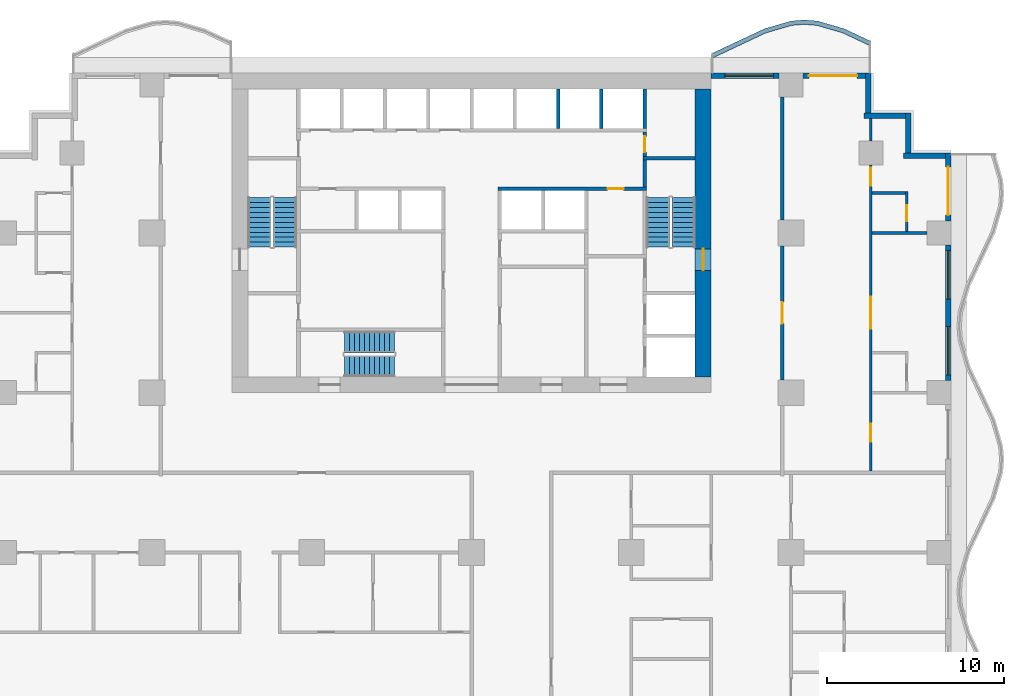
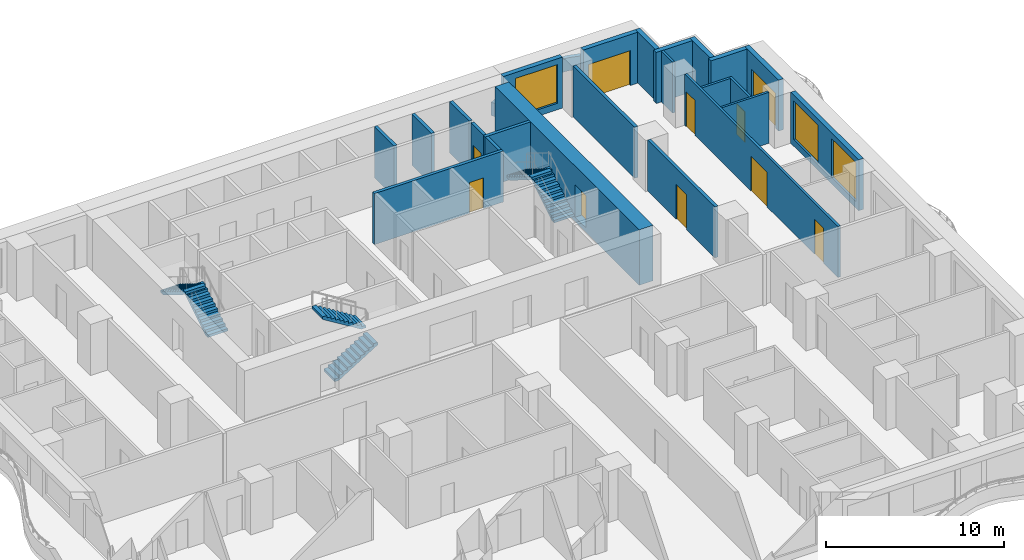
# One storey, part 6 of 13: 24 walls, 10 doors, 6 stair flights, 3 windows, 13 openings, 3 elements without a shape of their own.
"""IFC4 building model written with IfcOpenShell, lengths in metres."""

from ifc_helpers import new_model, si_unit, direction, frame, frame_2d, origin, place, context, subcontext, project, spatial, polyline, rectangle, outline, extrude, material, layer, layer_set, type_object, element, fill, aggregate, save


model = new_model("IFC4")

# Units and contexts
model_context = context("Model", 3, precision=1e-05, world=origin(), true_north=direction((0.0, 1.0)))
body_context = subcontext(model_context, "Body", "Model", "MODEL_VIEW")
ifc_project = project(units=[si_unit("LENGTHUNIT", "METRE"), si_unit("AREAUNIT", "SQUARE_METRE"), si_unit("VOLUMEUNIT", "CUBIC_METRE"), si_unit("PLANEANGLEUNIT", "RADIAN"), si_unit("MASSUNIT", "GRAM", prefix="KILO")], contexts=[model_context])

# Site, building, storey
site_placement = place(None, origin())
site = spatial("IfcSite", under=ifc_project, at=site_placement, CompositionType="ELEMENT")
building_placement = place(site_placement, origin())
building = spatial("IfcBuilding", under=site, at=building_placement, Name="Orbiselva Terraces", CompositionType="ELEMENT")
storey_placement = place(building_placement, frame((0.0, 0.0, 77.0)))
storey = spatial("IfcBuildingStorey", under=building, at=storey_placement, Name="L19", CompositionType="ELEMENT", Elevation=77.0)

# Wall, opening, door
ifc_material_1 = material(Name="Concrete C80/95", Category="concrete")
ifc_layer_1 = layer(ifc_material_1, 0.9)
ifc_layer_set_1 = layer_set([ifc_layer_1], Name="Concrete C80/95")
wall_type_1 = type_object("IfcWallType", Name="CORE WALL 900", PredefinedType="SHEAR", material=ifc_layer_set_1)
wall_1_placement = place(storey_placement, frame((13.05, 5.4, -0.3), z_axis=(0.0, 0.0, 1.0), x_axis=(0.0, 1.0, 0.0)))
wall_1 = element("IfcWall", 1, at=wall_1_placement, inside=storey, type_object=wall_type_1, Name="Core wall L19 east", PredefinedType="SHEAR", context=body_context, shape_type="SweptSolid", body=[
    extrude(rectangle(XDim=16.2, YDim=0.9, at=frame_2d((8.1, 0.0))), origin(), (0.0, 0.0, 1.0), 3.8),
])
opening_1_placement = place(wall_1_placement, frame((6.0, 0.0, 0.3)))
opening_1 = element("IfcOpeningElement", 2, at=opening_1_placement, cuts=wall_1, Name="Opening DS1200", PredefinedType="OPENING", context=body_context, shape_type="SweptSolid", body=[
    extrude(rectangle(XDim=1.2, YDim=2.2, at=frame_2d((0.6, 1.1))), frame((0.0, 0.46, 0.0), z_axis=(0.0, -1.0, 0.0), x_axis=(1.0, 0.0, 0.0)), (0.0, 0.0, 1.0), 0.92),
])
ifc_material_2 = material(Name="Steel fire door", Category="steel")
door_type_1 = type_object("IfcDoorType", Name="STAIR DOOR 1200", OperationType="NOTDEFINED", PredefinedType="DOOR", material=ifc_material_2)
door_1_placement = place(opening_1_placement, frame((1.2, 0.0, 0.0), z_axis=(0.0, 0.0, 1.0), x_axis=(-1.0, 0.0, 0.0)))
door_1 = element("IfcDoor", 3, at=door_1_placement, inside=storey, type_object=door_type_1, Name="L19 EXIT STAIR S2 door", OperationType="SINGLE_SWING_LEFT", OverallHeight=2.2, OverallWidth=1.2, PredefinedType="DOOR", context=body_context, shape_type="SweptSolid", body=[
    extrude(rectangle(XDim=1.2, YDim=2.2, at=frame_2d((0.6, 1.1))), frame((0.0, 0.025, 0.0), z_axis=(0.0, -1.0, 0.0), x_axis=(1.0, 0.0, 0.0)), (0.0, 0.0, 1.0), 0.05),
])
fill(opening_1, door_1)

ifc_material_3 = material(Name="Masonry blockwork", Category="masonry")
ifc_layer_2 = layer(ifc_material_3, 0.2)
ifc_layer_set_2 = layer_set([ifc_layer_2], Name="Masonry blockwork")
wall_type_2 = type_object("IfcWallType", Name="CORE-WALL-PARTITION-200", PredefinedType="PARTITIONING", material=ifc_layer_set_2)
wall_2_placement = place(storey_placement, frame((9.75, 19.2, 0.0), z_axis=(0.0, 0.0, 1.0), x_axis=(0.0, -1.0, 0.0)))
wall_2 = element("IfcWall", 4, at=wall_2_placement, inside=storey, type_object=wall_type_2, Name="L19 core wall 46", PredefinedType="PARTITIONING", context=body_context, shape_type="SweptSolid", body=[
    extrude(rectangle(XDim=1.4, YDim=0.2, at=frame_2d((0.7, 0.0))), origin(), (0.0, 0.0, 1.0), 3.5),
])
opening_2_placement = place(wall_2_placement, frame((0.25, 0.0, 0.0)))
opening_2 = element("IfcOpeningElement", 5, at=opening_2_placement, cuts=wall_2, Name="Opening DR900", PredefinedType="OPENING", context=body_context, shape_type="SweptSolid", body=[
    extrude(rectangle(XDim=0.9, YDim=2.1, at=frame_2d((0.45, 1.05))), frame((0.0, 0.11, 0.0), z_axis=(0.0, -1.0, 0.0), x_axis=(1.0, 0.0, 0.0)), (0.0, 0.0, 1.0), 0.22),
])
door_type_2 = type_object("IfcDoorType", Name="ROOM DOOR 900", OperationType="NOTDEFINED", PredefinedType="DOOR", material=ifc_material_2)
door_2_placement = place(opening_2_placement, origin())
door_2 = element("IfcDoor", 6, at=door_2_placement, inside=storey, type_object=door_type_2, Name="L19 ELECTRICAL RISER ROOM door", OperationType="SINGLE_SWING_RIGHT", OverallHeight=2.1, OverallWidth=0.9, PredefinedType="DOOR", context=body_context, shape_type="SweptSolid", body=[
    extrude(rectangle(XDim=0.9, YDim=2.1, at=frame_2d((0.45, 1.05))), frame((0.0, 0.025, 0.0), z_axis=(0.0, -1.0, 0.0), x_axis=(1.0, 0.0, 0.0)), (0.0, 0.0, 1.0), 0.05),
])
fill(opening_2, door_2)

# Walls
ifc_material_4 = material(Name="Concrete C40/50", Category="concrete")
ifc_layer_3 = layer(ifc_material_4, 0.2)
ifc_layer_set_3 = layer_set([ifc_layer_3], Name="Concrete C40/50")
wall_type_3 = type_object("IfcWallType", Name="CORE-WALL-SHAFT-200", PredefinedType="PARTITIONING", material=ifc_layer_set_3)
for number, where, z_axis, x_axis, name in (
    (7, (4.875, 19.4, 0.0), (0.0, 0.0, 1.0), (0.0, 1.0, 0.0), "L19 core wall 31"),
    (8, (7.3125, 19.4, 0.0), (0.0, 0.0, 1.0), (0.0, 1.0, 0.0), "L19 core wall 37"),
    (9, (9.75, 19.4, 0.0), (0.0, 0.0, 1.0), (0.0, 1.0, 0.0), "L19 core wall 47"),
):
    element("IfcWall", number, at=place(storey_placement, frame(where, z_axis=z_axis, x_axis=x_axis)), inside=storey, type_object=wall_type_3, Name=name, PredefinedType="PARTITIONING", context=body_context, shape_type="SweptSolid", body=[
        extrude(rectangle(XDim=2.2, YDim=0.2, at=frame_2d((1.1, 0.0))), origin(), (0.0, 0.0, 1.0), 3.5),
    ])

# Wall, opening, door
ifc_material_5 = material(Name="Concrete C60/75", Category="concrete")
ifc_layer_4 = layer(ifc_material_5, 0.2)
ifc_layer_set_4 = layer_set([ifc_layer_4], Name="Concrete C60/75")
wall_type_4 = type_object("IfcWallType", Name="CORE-WALL-SHEAR-200", PredefinedType="SHEAR", material=ifc_layer_set_4)
wall_3_placement = place(storey_placement, frame((9.85, 16.0, 0.0), z_axis=(0.0, 0.0, 1.0), x_axis=(-1.0, 0.0, 0.0)))
wall_3 = element("IfcWall", 10, at=wall_3_placement, inside=storey, type_object=wall_type_4, Name="L19 core wall 28", PredefinedType="SHEAR", context=body_context, shape_type="SweptSolid", body=[
    extrude(rectangle(XDim=8.35, YDim=0.2, at=frame_2d((4.175, 0.0))), origin(), (0.0, 0.0, 1.0), 3.5),
])
opening_3_placement = place(wall_3_placement, frame((1.2875, 0.0, 0.0)))
opening_3 = element("IfcOpeningElement", 11, at=opening_3_placement, cuts=wall_3, Name="Opening DR900", PredefinedType="OPENING", context=body_context, shape_type="SweptSolid", body=[
    extrude(rectangle(XDim=0.9, YDim=2.1, at=frame_2d((0.45, 1.05))), frame((0.0, 0.11, 0.0), z_axis=(0.0, -1.0, 0.0), x_axis=(1.0, 0.0, 0.0)), (0.0, 0.0, 1.0), 0.22),
])
door_3_placement = place(opening_3_placement, origin())
door_3 = element("IfcDoor", 12, at=door_3_placement, inside=storey, type_object=door_type_2, Name="L19 PIPE RISER ROOM door", OperationType="SINGLE_SWING_LEFT", OverallHeight=2.1, OverallWidth=0.9, PredefinedType="DOOR", context=body_context, shape_type="SweptSolid", body=[
    extrude(rectangle(XDim=0.9, YDim=2.1, at=frame_2d((0.45, 1.05))), frame((0.0, 0.025, 0.0), z_axis=(0.0, -1.0, 0.0), x_axis=(1.0, 0.0, 0.0)), (0.0, 0.0, 1.0), 0.05),
])
fill(opening_3, door_3)

# Walls
wall_4_placement = place(storey_placement, frame((9.75, 16.1, 0.0), z_axis=(0.0, 0.0, 1.0), x_axis=(0.0, 1.0, 0.0)))
element("IfcWall", 13, at=wall_4_placement, inside=storey, type_object=wall_type_4, Name="L19 core wall 44", PredefinedType="SHEAR", context=body_context, shape_type="SweptSolid", body=[
    extrude(rectangle(XDim=1.5, YDim=0.2, at=frame_2d((0.75, 0.0))), origin(), (0.0, 0.0, 1.0), 3.5),
])
wall_5_placement = place(storey_placement, frame((9.65, 17.7, 0.0), z_axis=(0.0, 0.0, 1.0), x_axis=(1.0, 0.0, 0.0)))
element("IfcWall", 14, at=wall_5_placement, inside=storey, type_object=wall_type_4, Name="L19 core wall 45", PredefinedType="SHEAR", context=body_context, shape_type="SweptSolid", body=[
    extrude(rectangle(XDim=2.95, YDim=0.2, at=frame_2d((1.475, 0.0))), origin(), (0.0, 0.0, 1.0), 3.5),
])
ifc_layer_5 = layer(ifc_material_4, 0.25)
ifc_layer_set_5 = layer_set([ifc_layer_5], Name="Concrete C40/50")
wall_type_5 = type_object("IfcWallType", Name="ENV-PLANTER-250x900", PredefinedType="USERDEFINED", material=ifc_layer_set_5)
wall_6_placement = place(storey_placement, origin())
element("IfcWall", 15, at=wall_6_placement, inside=storey, type_object=wall_type_5, Name="Balcony planter L19 NE", ObjectType="PLANTER", PredefinedType="USERDEFINED", context=body_context, shape_type="SweptSolid", body=[
    extrude(outline(polyline([(22.5, 24.3), (21.0, 25.005342), (19.5, 25.441268), (18.75, 25.5), (18.0, 25.441268), (16.5, 25.005342), (15.0, 24.3), (13.5, 23.594658), (13.606383, 23.368422), (15.106383, 24.073764), (16.588618, 24.770753), (18.045114, 25.194035), (18.75, 25.249235), (19.454886, 25.194035), (20.911382, 24.770753), (22.393617, 24.073764), (22.5, 24.3)])), origin(), (0.0, 0.0, 1.0), 0.9),
])

# Wall, openings, windows
ifc_material_6 = material(Name="Terracotta cladding on masonry backing", Category="masonry")
ifc_layer_6 = layer(ifc_material_6, 0.3)
ifc_layer_set_6 = layer_set([ifc_layer_6], Name="Terracotta cladding on masonry backing")
wall_type_6 = type_object("IfcWallType", Name="ENV-WALL-TERRACOTTA-300", PredefinedType="SOLIDWALL", material=ifc_layer_set_6)
wall_7_placement = place(storey_placement, frame((26.85, 12.825, 0.0), z_axis=(0.0, 0.0, 1.0), x_axis=(0.0, -1.0, 0.0)))
wall_7 = element("IfcWall", 16, at=wall_7_placement, inside=storey, type_object=wall_type_6, Name="Facade wall L19 E", PredefinedType="SOLIDWALL", context=body_context, shape_type="SweptSolid", body=[
    extrude(rectangle(XDim=7.65, YDim=0.3, at=frame_2d((3.825, 0.0))), origin(), (0.0, 0.0, 1.0), 3.5),
])
opening_4_placement = place(wall_7_placement, frame((4.6, 0.0, 0.45)))
opening_4 = element("IfcOpeningElement", 17, at=opening_4_placement, cuts=wall_7, Name="Opening WN5", PredefinedType="OPENING", context=body_context, shape_type="SweptSolid", body=[
    extrude(rectangle(XDim=2.725, YDim=2.65, at=frame_2d((1.3625, 1.325))), frame((0.0, 0.16, 0.0), z_axis=(0.0, -1.0, 0.0), x_axis=(1.0, 0.0, 0.0)), (0.0, 0.0, 1.0), 0.32),
])
opening_5_placement = place(wall_7_placement, frame((0.325, 0.0, 0.45)))
opening_5 = element("IfcOpeningElement", 18, at=opening_5_placement, cuts=wall_7, Name="Opening WN5", PredefinedType="OPENING", context=body_context, shape_type="SweptSolid", body=[
    extrude(rectangle(XDim=2.725, YDim=2.65, at=frame_2d((1.3625, 1.325))), frame((0.0, 0.16, 0.0), z_axis=(0.0, -1.0, 0.0), x_axis=(1.0, 0.0, 0.0)), (0.0, 0.0, 1.0), 0.32),
])
ifc_material_7 = material(Name="Clear low-e glazing in aluminium frame", Category="aluminium")
window_type = type_object("IfcWindowType", Name="WINDOW 2725 X 2650 S450", PartitioningType="TRIPLE_PANEL_VERTICAL", PredefinedType="WINDOW", material=ifc_material_7)
window_1_placement = place(opening_4_placement, origin())
window_1 = element("IfcWindow", 19, at=window_1_placement, inside=storey, type_object=window_type, Name="Window L19 E", OverallHeight=2.65, OverallWidth=2.725, PartitioningType="SINGLE_PANEL", PredefinedType="WINDOW", context=body_context, shape_type="SweptSolid", body=[
    extrude(rectangle(XDim=2.725, YDim=2.65, at=frame_2d((1.3625, 1.325))), frame((0.0, 0.03, 0.0), z_axis=(0.0, -1.0, 0.0), x_axis=(1.0, 0.0, 0.0)), (0.0, 0.0, 1.0), 0.06),
])
fill(opening_4, window_1)
window_2_placement = place(opening_5_placement, origin())
window_2 = element("IfcWindow", 20, at=window_2_placement, inside=storey, type_object=window_type, Name="Window L19 E", OverallHeight=2.65, OverallWidth=2.725, PartitioningType="SINGLE_PANEL", PredefinedType="WINDOW", context=body_context, shape_type="SweptSolid", body=[
    extrude(rectangle(XDim=2.725, YDim=2.65, at=frame_2d((1.3625, 1.325))), frame((0.0, 0.03, 0.0), z_axis=(0.0, -1.0, 0.0), x_axis=(1.0, 0.0, 0.0)), (0.0, 0.0, 1.0), 0.06),
])
fill(opening_5, window_2)

# Wall, opening, door
wall_8_placement = place(storey_placement, frame((26.85, 18.0, 0.0), z_axis=(0.0, 0.0, 1.0), x_axis=(0.0, -1.0, 0.0)))
wall_8 = element("IfcWall", 21, at=wall_8_placement, inside=storey, type_object=wall_type_6, Name="Facade wall L19 E", PredefinedType="SOLIDWALL", context=body_context, shape_type="SweptSolid", body=[
    extrude(rectangle(XDim=3.825, YDim=0.3, at=frame_2d((1.9125, 0.0))), origin(), (0.0, 0.0, 1.0), 3.5),
])
opening_6_placement = place(wall_8_placement, frame((0.775, 0.0, 0.0)))
opening_6 = element("IfcOpeningElement", 22, at=opening_6_placement, cuts=wall_8, Name="Opening Z2-A-E14", PredefinedType="OPENING", context=body_context, shape_type="SweptSolid", body=[
    extrude(rectangle(XDim=2.725, YDim=2.4, at=frame_2d((1.3625, 1.2))), frame((0.0, 0.16, 0.0), z_axis=(0.0, -1.0, 0.0), x_axis=(1.0, 0.0, 0.0)), (0.0, 0.0, 1.0), 0.32),
])
door_type_3 = type_object("IfcDoorType", Name="BALCONY DOOR 2725 X 2400", OperationType="DOUBLE_DOOR_SLIDING", PredefinedType="DOOR", material=ifc_material_7)
door_4_placement = place(opening_6_placement, origin())
door_4 = element("IfcDoor", 23, at=door_4_placement, inside=storey, type_object=door_type_3, Name="Z2-A-E14", OperationType="SINGLE_SWING_LEFT", OverallHeight=2.4, OverallWidth=2.725, PredefinedType="DOOR", context=body_context, shape_type="SweptSolid", body=[
    extrude(rectangle(XDim=2.725, YDim=2.4, at=frame_2d((1.3625, 1.2))), frame((0.0, 0.025, 0.0), z_axis=(0.0, -1.0, 0.0), x_axis=(1.0, 0.0, 0.0)), (0.0, 0.0, 1.0), 0.05),
])
fill(opening_6, door_4)

# Walls
wall_9_placement = place(storey_placement, frame((24.35, 17.85, 0.0), z_axis=(0.0, 0.0, 1.0), x_axis=(1.0, 0.0, 0.0)))
element("IfcWall", 24, at=wall_9_placement, inside=storey, type_object=wall_type_6, Name="Facade wall L19 STEP", PredefinedType="SOLIDWALL", context=body_context, shape_type="SweptSolid", body=[
    extrude(rectangle(XDim=2.35, YDim=0.3, at=frame_2d((1.175, 0.0))), origin(), (0.0, 0.0, 1.0), 3.5),
])
wall_10_placement = place(storey_placement, frame((24.6, 20.25, 0.0), z_axis=(0.0, 0.0, 1.0), x_axis=(0.0, -1.0, 0.0)))
element("IfcWall", 25, at=wall_10_placement, inside=storey, type_object=wall_type_6, Name="Facade wall L19 STEP", PredefinedType="SOLIDWALL", context=body_context, shape_type="SweptSolid", body=[
    extrude(rectangle(XDim=2.25, YDim=0.3, at=frame_2d((1.125, 0.0))), origin(), (0.0, 0.0, 1.0), 3.5),
])
wall_11_placement = place(storey_placement, frame((22.1, 20.1, 0.0), z_axis=(0.0, 0.0, 1.0), x_axis=(1.0, 0.0, 0.0)))
element("IfcWall", 26, at=wall_11_placement, inside=storey, type_object=wall_type_6, Name="Facade wall L19 STEP", PredefinedType="SOLIDWALL", context=body_context, shape_type="SweptSolid", body=[
    extrude(rectangle(XDim=2.35, YDim=0.3, at=frame_2d((1.175, 0.0))), origin(), (0.0, 0.0, 1.0), 3.5),
])
wall_12_placement = place(storey_placement, frame((22.35, 22.5, 0.0), z_axis=(0.0, 0.0, 1.0), x_axis=(0.0, -1.0, 0.0)))
element("IfcWall", 27, at=wall_12_placement, inside=storey, type_object=wall_type_6, Name="Facade wall L19 STEP", PredefinedType="SOLIDWALL", context=body_context, shape_type="SweptSolid", body=[
    extrude(rectangle(XDim=2.25, YDim=0.3, at=frame_2d((1.125, 0.0))), origin(), (0.0, 0.0, 1.0), 3.5),
])

# Wall, opening, door
wall_13_placement = place(storey_placement, frame((18.675, 22.35, 0.0), z_axis=(0.0, 0.0, 1.0), x_axis=(1.0, 0.0, 0.0)))
wall_13 = element("IfcWall", 28, at=wall_13_placement, inside=storey, type_object=wall_type_6, Name="Facade wall L19 NE", PredefinedType="SOLIDWALL", context=body_context, shape_type="SweptSolid", body=[
    extrude(rectangle(XDim=3.525, YDim=0.3, at=frame_2d((1.7625, 0.0))), origin(), (0.0, 0.0, 1.0), 3.5),
])
opening_7_placement = place(wall_13_placement, frame((0.325, 0.0, 0.0)))
opening_7 = element("IfcOpeningElement", 29, at=opening_7_placement, cuts=wall_13, Name="Opening Z2-A-E18", PredefinedType="OPENING", context=body_context, shape_type="SweptSolid", body=[
    extrude(rectangle(XDim=2.725, YDim=2.4, at=frame_2d((1.3625, 1.2))), frame((0.0, 0.16, 0.0), z_axis=(0.0, -1.0, 0.0), x_axis=(1.0, 0.0, 0.0)), (0.0, 0.0, 1.0), 0.32),
])
door_5_placement = place(opening_7_placement, origin())
door_5 = element("IfcDoor", 30, at=door_5_placement, inside=storey, type_object=door_type_3, Name="Z2-A-E18", OperationType="SINGLE_SWING_LEFT", OverallHeight=2.4, OverallWidth=2.725, PredefinedType="DOOR", context=body_context, shape_type="SweptSolid", body=[
    extrude(rectangle(XDim=2.725, YDim=2.4, at=frame_2d((1.3625, 1.2))), frame((0.0, 0.025, 0.0), z_axis=(0.0, -1.0, 0.0), x_axis=(1.0, 0.0, 0.0)), (0.0, 0.0, 1.0), 0.05),
])
fill(opening_7, door_5)

# Wall, opening, window
wall_14_placement = place(storey_placement, frame((13.5, 22.35, 0.0), z_axis=(0.0, 0.0, 1.0), x_axis=(1.0, 0.0, 0.0)))
wall_14 = element("IfcWall", 31, at=wall_14_placement, inside=storey, type_object=wall_type_6, Name="Facade wall L19 NE", PredefinedType="SOLIDWALL", context=body_context, shape_type="SweptSolid", body=[
    extrude(rectangle(XDim=3.825, YDim=0.3, at=frame_2d((1.9125, 0.0))), origin(), (0.0, 0.0, 1.0), 3.5),
])
opening_8_placement = place(wall_14_placement, frame((0.775, 0.0, 0.45)))
opening_8 = element("IfcOpeningElement", 32, at=opening_8_placement, cuts=wall_14, Name="Opening WN5", PredefinedType="OPENING", context=body_context, shape_type="SweptSolid", body=[
    extrude(rectangle(XDim=2.725, YDim=2.65, at=frame_2d((1.3625, 1.325))), frame((0.0, 0.16, 0.0), z_axis=(0.0, -1.0, 0.0), x_axis=(1.0, 0.0, 0.0)), (0.0, 0.0, 1.0), 0.32),
])
window_3_placement = place(opening_8_placement, origin())
window_3 = element("IfcWindow", 33, at=window_3_placement, inside=storey, type_object=window_type, Name="Window L19 NE", OverallHeight=2.65, OverallWidth=2.725, PartitioningType="SINGLE_PANEL", PredefinedType="WINDOW", context=body_context, shape_type="SweptSolid", body=[
    extrude(rectangle(XDim=2.725, YDim=2.65, at=frame_2d((1.3625, 1.325))), frame((0.0, 0.03, 0.0), z_axis=(0.0, -1.0, 0.0), x_axis=(1.0, 0.0, 0.0)), (0.0, 0.0, 1.0), 0.06),
])
fill(opening_8, window_3)

# Wall, opening, door
ifc_material_8 = material(Name="Plasterboard on steel stud partition", Category="steel")
ifc_layer_7 = layer(ifc_material_8, 0.2)
ifc_layer_set_7 = layer_set([ifc_layer_7], Name="Plasterboard on steel stud partition")
wall_type_7 = type_object("IfcWallType", Name="UNIT-ENTRANCE-WALL-200", PredefinedType="PARTITIONING", material=ifc_layer_set_7)
wall_15_placement = place(storey_placement, frame((17.5, 12.775, 0.0), z_axis=(0.0, 0.0, 1.0), x_axis=(0.0, -1.0, 0.0)))
wall_15 = element("IfcWall", 34, at=wall_15_placement, inside=storey, type_object=wall_type_7, Name="PARTITION L19-076", PredefinedType="PARTITIONING", context=body_context, shape_type="SweptSolid", body=[
    extrude(rectangle(XDim=7.55, YDim=0.2, at=frame_2d((3.775, 0.0))), origin(), (0.0, 0.0, 1.0), 3.5),
])
opening_9_placement = place(wall_15_placement, frame((3.175, 0.0, 0.0)))
opening_9 = element("IfcOpeningElement", 35, at=opening_9_placement, cuts=wall_15, Name="Opening Z2-A-09", PredefinedType="OPENING", context=body_context, shape_type="SweptSolid", body=[
    extrude(rectangle(XDim=1.2, YDim=2.4, at=frame_2d((0.6, 1.2))), frame((0.0, 0.11, 0.0), z_axis=(0.0, -1.0, 0.0), x_axis=(1.0, 0.0, 0.0)), (0.0, 0.0, 1.0), 0.22),
])
ifc_material_9 = material(Name="Painted timber door leaf", Category="wood")
door_type_4 = type_object("IfcDoorType", Name="ENTRANCE DOOR 1200", OperationType="NOTDEFINED", PredefinedType="DOOR", material=ifc_material_9)
door_6_placement = place(opening_9_placement, origin())
door_6 = element("IfcDoor", 36, at=door_6_placement, inside=storey, type_object=door_type_4, Name="Z2-A-09", OperationType="SINGLE_SWING_RIGHT", OverallHeight=2.4, OverallWidth=1.2, PredefinedType="DOOR", context=body_context, shape_type="SweptSolid", body=[
    extrude(rectangle(XDim=1.2, YDim=2.4, at=frame_2d((0.6, 1.2))), frame((0.0, 0.025, 0.0), z_axis=(0.0, -1.0, 0.0), x_axis=(1.0, 0.0, 0.0)), (0.0, 0.0, 1.0), 0.05),
])
fill(opening_9, door_6)

# Walls
wall_16_placement = place(storey_placement, frame((17.5, 14.225, 0.0), z_axis=(0.0, 0.0, 1.0), x_axis=(0.0, 1.0, 0.0)))
element("IfcWall", 37, at=wall_16_placement, inside=storey, type_object=wall_type_7, Name="PARTITION L19-077", PredefinedType="PARTITIONING", context=body_context, shape_type="SweptSolid", body=[
    extrude(rectangle(XDim=6.925, YDim=0.2, at=frame_2d((3.4625, 0.0))), origin(), (0.0, 0.0, 1.0), 3.5),
])
ifc_layer_8 = layer(ifc_material_8, 0.15)
ifc_layer_set_8 = layer_set([ifc_layer_8], Name="Plasterboard on steel stud partition")
wall_type_8 = type_object("IfcWallType", Name="UNIT-PARTITION-150", PredefinedType="PARTITIONING", material=ifc_layer_set_8)
wall_17_placement = place(storey_placement, frame((22.575, 13.5, 0.0), z_axis=(0.0, 0.0, 1.0), x_axis=(1.0, 0.0, 0.0)))
element("IfcWall", 38, at=wall_17_placement, inside=storey, type_object=wall_type_8, Name="PARTITION L19-040", PredefinedType="PARTITIONING", context=body_context, shape_type="SweptSolid", body=[
    extrude(rectangle(XDim=3.075, YDim=0.15, at=frame_2d((1.5375, 0.0))), origin(), (0.0, 0.0, 1.0), 3.5),
])
wall_18_placement = place(storey_placement, frame((22.575, 15.75, 0.0), z_axis=(0.0, 0.0, 1.0), x_axis=(1.0, 0.0, 0.0)))
element("IfcWall", 39, at=wall_18_placement, inside=storey, type_object=wall_type_8, Name="PARTITION L19-042", PredefinedType="PARTITIONING", context=body_context, shape_type="SweptSolid", body=[
    extrude(rectangle(XDim=1.875, YDim=0.15, at=frame_2d((0.9375, 0.0))), origin(), (0.0, 0.0, 1.0), 3.5),
])

# Wall, openings, doors
wall_19_placement = place(storey_placement, frame((22.5, 17.325, 0.0), z_axis=(0.0, 0.0, 1.0), x_axis=(0.0, -1.0, 0.0)))
wall_19 = element("IfcWall", 40, at=wall_19_placement, inside=storey, type_object=wall_type_8, Name="PARTITION L19-083", PredefinedType="PARTITIONING", context=body_context, shape_type="SweptSolid", body=[
    extrude(rectangle(XDim=17.225, YDim=0.15, at=frame_2d((8.6125, 0.0))), origin(), (0.0, 0.0, 1.0), 3.5),
])
opening_10_placement = place(wall_19_placement, frame((14.575, 0.0, 0.0)))
opening_10 = element("IfcOpeningElement", 41, at=opening_10_placement, cuts=wall_19, Name="Opening Z2-A-10", PredefinedType="OPENING", context=body_context, shape_type="SweptSolid", body=[
    extrude(rectangle(XDim=1.0, YDim=2.4, at=frame_2d((0.5, 1.2))), frame((0.0, 0.085, 0.0), z_axis=(0.0, -1.0, 0.0), x_axis=(1.0, 0.0, 0.0)), (0.0, 0.0, 1.0), 0.17),
])
opening_11_placement = place(wall_19_placement, frame((7.425, 0.0, 0.0)))
opening_11 = element("IfcOpeningElement", 42, at=opening_11_placement, cuts=wall_19, Name="Opening Z2-A-11", PredefinedType="OPENING", context=body_context, shape_type="SweptSolid", body=[
    extrude(rectangle(XDim=1.8, YDim=2.4, at=frame_2d((0.9, 1.2))), frame((0.0, 0.085, 0.0), z_axis=(0.0, -1.0, 0.0), x_axis=(1.0, 0.0, 0.0)), (0.0, 0.0, 1.0), 0.17),
])
opening_12_placement = place(wall_19_placement, frame((0.15, 0.0, 0.0)))
opening_12 = element("IfcOpeningElement", 43, at=opening_12_placement, cuts=wall_19, Name="Opening Z2-A-13", PredefinedType="OPENING", context=body_context, shape_type="SweptSolid", body=[
    extrude(rectangle(XDim=1.0, YDim=2.4, at=frame_2d((0.5, 1.2))), frame((0.0, 0.085, 0.0), z_axis=(0.0, -1.0, 0.0), x_axis=(1.0, 0.0, 0.0)), (0.0, 0.0, 1.0), 0.17),
])
door_type_5 = type_object("IfcDoorType", Name="DOUBLE DOOR 1800", OperationType="NOTDEFINED", PredefinedType="DOOR", material=ifc_material_9)
door_7_placement = place(opening_11_placement, origin())
door_7 = element("IfcDoor", 44, at=door_7_placement, inside=storey, type_object=door_type_5, Name="Z2-A-11", OperationType="DOUBLE_DOOR_SINGLE_SWING", OverallHeight=2.4, OverallWidth=1.8, PredefinedType="DOOR", context=body_context, shape_type="SweptSolid", body=[
    extrude(rectangle(XDim=1.8, YDim=2.4, at=frame_2d((0.9, 1.2))), frame((0.0, 0.025, 0.0), z_axis=(0.0, -1.0, 0.0), x_axis=(1.0, 0.0, 0.0)), (0.0, 0.0, 1.0), 0.05),
])
fill(opening_11, door_7)
door_type_6 = type_object("IfcDoorType", Name="ROOM DOOR 1000", OperationType="NOTDEFINED", PredefinedType="DOOR", material=ifc_material_9)
door_8_placement = place(opening_10_placement, origin())
door_8 = element("IfcDoor", 45, at=door_8_placement, inside=storey, type_object=door_type_6, Name="Z2-A-10", OperationType="SINGLE_SWING_RIGHT", OverallHeight=2.4, OverallWidth=1.0, PredefinedType="DOOR", context=body_context, shape_type="SweptSolid", body=[
    extrude(rectangle(XDim=1.0, YDim=2.4, at=frame_2d((0.5, 1.2))), frame((0.0, 0.025, 0.0), z_axis=(0.0, -1.0, 0.0), x_axis=(1.0, 0.0, 0.0)), (0.0, 0.0, 1.0), 0.05),
])
fill(opening_10, door_8)
door_9_placement = place(opening_12_placement, origin())
door_9 = element("IfcDoor", 46, at=door_9_placement, inside=storey, type_object=door_type_6, Name="Z2-A-13", OperationType="SINGLE_SWING_LEFT", OverallHeight=2.4, OverallWidth=1.0, PredefinedType="DOOR", context=body_context, shape_type="SweptSolid", body=[
    extrude(rectangle(XDim=1.0, YDim=2.4, at=frame_2d((0.5, 1.2))), frame((0.0, 0.025, 0.0), z_axis=(0.0, -1.0, 0.0), x_axis=(1.0, 0.0, 0.0)), (0.0, 0.0, 1.0), 0.05),
])
fill(opening_12, door_9)

# Wall
wall_20_placement = place(storey_placement, frame((22.5, 18.675, 0.0), z_axis=(0.0, 0.0, 1.0), x_axis=(0.0, 1.0, 0.0)))
element("IfcWall", 47, at=wall_20_placement, inside=storey, type_object=wall_type_8, Name="PARTITION L19-084", PredefinedType="PARTITIONING", context=body_context, shape_type="SweptSolid", body=[
    extrude(rectangle(XDim=1.275, YDim=0.15, at=frame_2d((0.6375, 0.0))), origin(), (0.0, 0.0, 1.0), 3.5),
])

# Wall, opening, door
wall_21_placement = place(storey_placement, frame((24.525, 13.575, 0.0), z_axis=(0.0, 0.0, 1.0), x_axis=(0.0, 1.0, 0.0)))
wall_21 = element("IfcWall", 48, at=wall_21_placement, inside=storey, type_object=wall_type_8, Name="PARTITION L19-086", PredefinedType="PARTITIONING", context=body_context, shape_type="SweptSolid", body=[
    extrude(rectangle(XDim=2.25, YDim=0.15, at=frame_2d((1.125, 0.0))), origin(), (0.0, 0.0, 1.0), 3.5),
])
opening_13_placement = place(wall_21_placement, frame((0.6, 0.0, 0.0)))
opening_13 = element("IfcOpeningElement", 49, at=opening_13_placement, cuts=wall_21, Name="Opening Z2-A-14", PredefinedType="OPENING", context=body_context, shape_type="SweptSolid", body=[
    extrude(rectangle(XDim=0.9, YDim=2.1, at=frame_2d((0.45, 1.05))), frame((0.0, 0.085, 0.0), z_axis=(0.0, -1.0, 0.0), x_axis=(1.0, 0.0, 0.0)), (0.0, 0.0, 1.0), 0.17),
])
door_type_7 = type_object("IfcDoorType", Name="BATH DOOR 900", OperationType="NOTDEFINED", PredefinedType="DOOR", material=ifc_material_9)
door_10_placement = place(opening_13_placement, origin())
door_10 = element("IfcDoor", 50, at=door_10_placement, inside=storey, type_object=door_type_7, Name="Z2-A-14", OperationType="SINGLE_SWING_LEFT", OverallHeight=2.1, OverallWidth=0.9, PredefinedType="DOOR", context=body_context, shape_type="SweptSolid", body=[
    extrude(rectangle(XDim=0.9, YDim=2.1, at=frame_2d((0.45, 1.05))), frame((0.0, 0.025, 0.0), z_axis=(0.0, -1.0, 0.0), x_axis=(1.0, 0.0, 0.0)), (0.0, 0.0, 1.0), 0.05),
])
fill(opening_13, door_10)

# Stair, stair flights
stair_type_1 = type_object("IfcStairType", Name="CORE-STAIR-1200", PredefinedType="HALF_TURN_STAIR", material=ifc_material_4)
stair_1_placement = place(storey_placement, origin())
stair_1 = element("IfcStair", 51, at=stair_1_placement, inside=storey, type_object=stair_type_1, Name="L19 Exit Stair S3", PredefinedType="HALF_TURN_STAIR")
stair_flight_type_1 = type_object("IfcStairFlightType", Name="CORE-STAIR-FLIGHT-1200", PredefinedType="STRAIGHT", material=ifc_material_4)
stair_flight_1_placement = place(storey_placement, frame((-7.15, 6.0, 0.0), z_axis=(0.0, 0.0, 1.0), x_axis=(1.0, 0.0, 0.0)))
stair_flight_1 = element("IfcStairFlight", 52, at=stair_flight_1_placement, type_object=stair_flight_type_1, Name="S3 flight 1", NumberOfRisers=11, NumberOfTreads=10, PredefinedType="STRAIGHT", RiserHeight=0.172727273, TreadLength=0.28, context=body_context, shape_type="SweptSolid", body=[
    extrude(outline(polyline([(0.0, 0.0), (0.0, 0.172727), (0.28, 0.172727), (0.28, 0.345455), (0.56, 0.345455), (0.56, 0.518182), (0.84, 0.518182), (0.84, 0.690909), (1.12, 0.690909), (1.12, 0.863636), (1.4, 0.863636), (1.4, 1.036364), (1.68, 1.036364), (1.68, 1.209091), (1.96, 1.209091), (1.96, 1.381818), (2.24, 1.381818), (2.24, 1.554545), (2.52, 1.554545), (2.52, 1.727273), (2.8, 1.727273), (2.8, 1.9), (2.8, 1.551028), (0.285702, 0.0), (0.0, 0.0)])), frame((0.0, 0.6, 0.0), z_axis=(0.0, -1.0, 0.0), x_axis=(1.0, 0.0, 0.0)), (0.0, 0.0, 1.0), 1.2),
])
stair_flight_2_placement = place(storey_placement, frame((-4.35, 7.35, 1.9), z_axis=(0.0, 0.0, 1.0), x_axis=(-1.0, 0.0, 0.0)))
stair_flight_2 = element("IfcStairFlight", 53, at=stair_flight_2_placement, type_object=stair_flight_type_1, Name="S3 flight 2", NumberOfRisers=11, NumberOfTreads=10, PredefinedType="STRAIGHT", RiserHeight=0.172727273, TreadLength=0.28, context=body_context, shape_type="SweptSolid", body=[
    extrude(outline(polyline([(0.0, 0.0), (0.0, 0.172727), (0.28, 0.172727), (0.28, 0.345455), (0.56, 0.345455), (0.56, 0.518182), (0.84, 0.518182), (0.84, 0.690909), (1.12, 0.690909), (1.12, 0.863636), (1.4, 0.863636), (1.4, 1.036364), (1.68, 1.036364), (1.68, 1.209091), (1.96, 1.209091), (1.96, 1.381818), (2.24, 1.381818), (2.24, 1.554545), (2.52, 1.554545), (2.52, 1.727273), (2.8, 1.727273), (2.8, 1.9), (2.8, 1.551028), (0.285702, 0.0), (0.0, 0.0)])), frame((0.0, 0.6, 0.0), z_axis=(0.0, -1.0, 0.0), x_axis=(1.0, 0.0, 0.0)), (0.0, 0.0, 1.0), 1.2),
])
aggregate(stair_1, [stair_flight_1, stair_flight_2])

stair_type_2 = type_object("IfcStairType", Name="CORE-STAIR-1300", PredefinedType="HALF_TURN_STAIR", material=ifc_material_4)
stair_2_placement = place(storey_placement, origin())
stair_2 = element("IfcStair", 54, at=stair_2_placement, inside=storey, type_object=stair_type_2, Name="L19 Exit Stair S1", PredefinedType="HALF_TURN_STAIR")
stair_flight_type_2 = type_object("IfcStairFlightType", Name="CORE-STAIR-FLIGHT-1300", PredefinedType="STRAIGHT", material=ifc_material_4)
stair_flight_3_placement = place(storey_placement, frame((-10.5, 12.7, 0.0), z_axis=(0.0, 0.0, 1.0), x_axis=(0.0, 1.0, 0.0)))
stair_flight_3 = element("IfcStairFlight", 55, at=stair_flight_3_placement, type_object=stair_flight_type_2, Name="S1 flight 1", NumberOfRisers=11, NumberOfTreads=10, PredefinedType="STRAIGHT", RiserHeight=0.172727273, TreadLength=0.28, context=body_context, shape_type="SweptSolid", body=[
    extrude(outline(polyline([(0.0, 0.0), (0.0, 0.172727), (0.28, 0.172727), (0.28, 0.345455), (0.56, 0.345455), (0.56, 0.518182), (0.84, 0.518182), (0.84, 0.690909), (1.12, 0.690909), (1.12, 0.863636), (1.4, 0.863636), (1.4, 1.036364), (1.68, 1.036364), (1.68, 1.209091), (1.96, 1.209091), (1.96, 1.381818), (2.24, 1.381818), (2.24, 1.554545), (2.52, 1.554545), (2.52, 1.727273), (2.8, 1.727273), (2.8, 1.9), (2.8, 1.551028), (0.285702, 0.0), (0.0, 0.0)])), frame((0.0, 0.65, 0.0), z_axis=(0.0, -1.0, 0.0), x_axis=(1.0, 0.0, 0.0)), (0.0, 0.0, 1.0), 1.3),
])
stair_flight_4_placement = place(storey_placement, frame((-11.95, 15.5, 1.9), z_axis=(0.0, 0.0, 1.0), x_axis=(0.0, -1.0, 0.0)))
stair_flight_4 = element("IfcStairFlight", 56, at=stair_flight_4_placement, type_object=stair_flight_type_2, Name="S1 flight 2", NumberOfRisers=11, NumberOfTreads=10, PredefinedType="STRAIGHT", RiserHeight=0.172727273, TreadLength=0.28, context=body_context, shape_type="SweptSolid", body=[
    extrude(outline(polyline([(0.0, 0.0), (0.0, 0.172727), (0.28, 0.172727), (0.28, 0.345455), (0.56, 0.345455), (0.56, 0.518182), (0.84, 0.518182), (0.84, 0.690909), (1.12, 0.690909), (1.12, 0.863636), (1.4, 0.863636), (1.4, 1.036364), (1.68, 1.036364), (1.68, 1.209091), (1.96, 1.209091), (1.96, 1.381818), (2.24, 1.381818), (2.24, 1.554545), (2.52, 1.554545), (2.52, 1.727273), (2.8, 1.727273), (2.8, 1.9), (2.8, 1.551028), (0.285702, 0.0), (0.0, 0.0)])), frame((0.0, 0.65, 0.0), z_axis=(0.0, -1.0, 0.0), x_axis=(1.0, 0.0, 0.0)), (0.0, 0.0, 1.0), 1.3),
])
aggregate(stair_2, [stair_flight_3, stair_flight_4])

stair_3_placement = place(storey_placement, origin())
stair_3 = element("IfcStair", 57, at=stair_3_placement, inside=storey, type_object=stair_type_2, Name="L19 Exit Stair S2", PredefinedType="HALF_TURN_STAIR")
stair_flight_5_placement = place(storey_placement, frame((11.95, 12.7, 0.0), z_axis=(0.0, 0.0, 1.0), x_axis=(0.0, 1.0, 0.0)))
stair_flight_5 = element("IfcStairFlight", 58, at=stair_flight_5_placement, type_object=stair_flight_type_2, Name="S2 flight 1", NumberOfRisers=11, NumberOfTreads=10, PredefinedType="STRAIGHT", RiserHeight=0.172727273, TreadLength=0.28, context=body_context, shape_type="SweptSolid", body=[
    extrude(outline(polyline([(0.0, 0.0), (0.0, 0.172727), (0.28, 0.172727), (0.28, 0.345455), (0.56, 0.345455), (0.56, 0.518182), (0.84, 0.518182), (0.84, 0.690909), (1.12, 0.690909), (1.12, 0.863636), (1.4, 0.863636), (1.4, 1.036364), (1.68, 1.036364), (1.68, 1.209091), (1.96, 1.209091), (1.96, 1.381818), (2.24, 1.381818), (2.24, 1.554545), (2.52, 1.554545), (2.52, 1.727273), (2.8, 1.727273), (2.8, 1.9), (2.8, 1.551028), (0.285702, 0.0), (0.0, 0.0)])), frame((0.0, 0.65, 0.0), z_axis=(0.0, -1.0, 0.0), x_axis=(1.0, 0.0, 0.0)), (0.0, 0.0, 1.0), 1.3),
])
stair_flight_6_placement = place(storey_placement, frame((10.5, 15.5, 1.9), z_axis=(0.0, 0.0, 1.0), x_axis=(0.0, -1.0, 0.0)))
stair_flight_6 = element("IfcStairFlight", 59, at=stair_flight_6_placement, type_object=stair_flight_type_2, Name="S2 flight 2", NumberOfRisers=11, NumberOfTreads=10, PredefinedType="STRAIGHT", RiserHeight=0.172727273, TreadLength=0.28, context=body_context, shape_type="SweptSolid", body=[
    extrude(outline(polyline([(0.0, 0.0), (0.0, 0.172727), (0.28, 0.172727), (0.28, 0.345455), (0.56, 0.345455), (0.56, 0.518182), (0.84, 0.518182), (0.84, 0.690909), (1.12, 0.690909), (1.12, 0.863636), (1.4, 0.863636), (1.4, 1.036364), (1.68, 1.036364), (1.68, 1.209091), (1.96, 1.209091), (1.96, 1.381818), (2.24, 1.381818), (2.24, 1.554545), (2.52, 1.554545), (2.52, 1.727273), (2.8, 1.727273), (2.8, 1.9), (2.8, 1.551028), (0.285702, 0.0), (0.0, 0.0)])), frame((0.0, 0.65, 0.0), z_axis=(0.0, -1.0, 0.0), x_axis=(1.0, 0.0, 0.0)), (0.0, 0.0, 1.0), 1.3),
])
aggregate(stair_3, [stair_flight_5, stair_flight_6])

save(model, "model.ifc")
